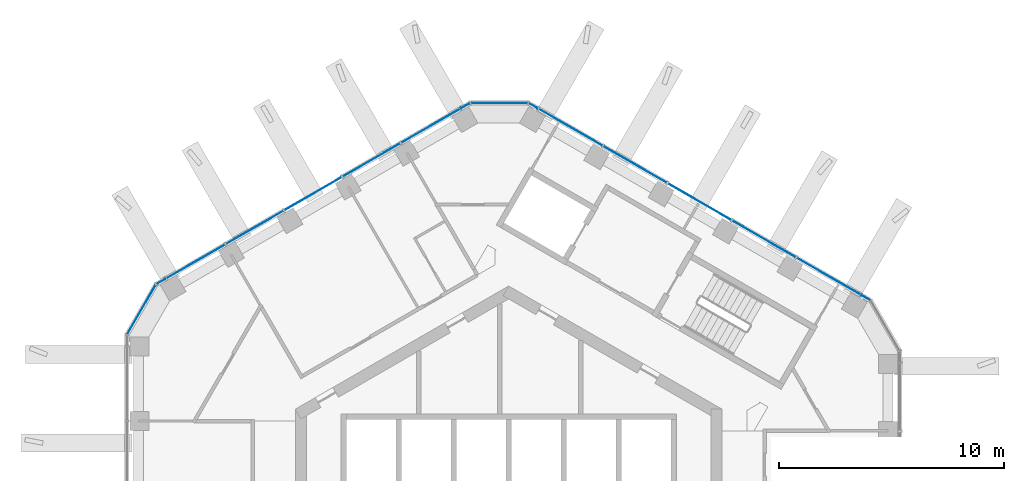
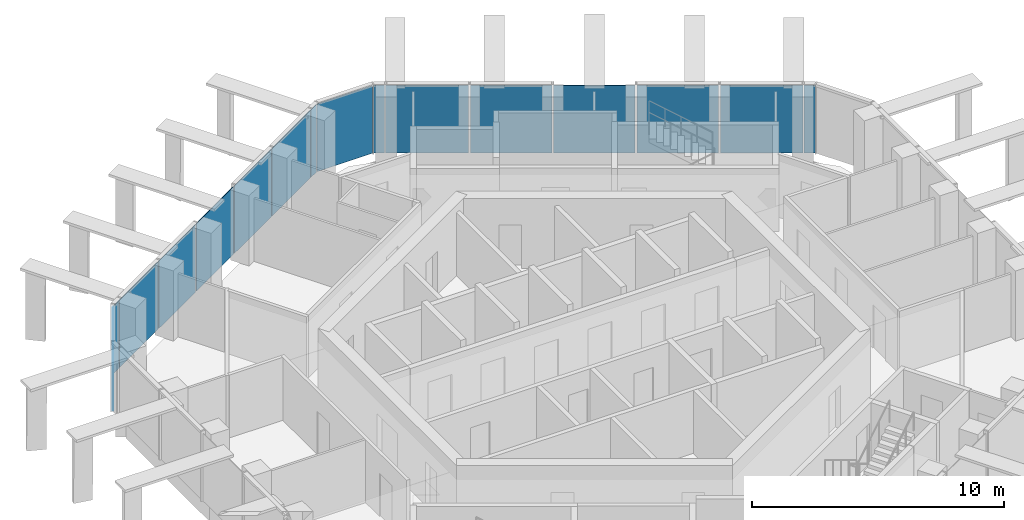
# One storey, part 10 of 18: 16 plates, 5 elements without a shape of their own.
"""IFC4 building model written with IfcOpenShell, lengths in metres."""

from ifc_helpers import new_model, si_unit, direction, frame, origin, origin_2d, place, context, subcontext, project, spatial, rectangle, extrude, material, layer, layer_set, type_object, element, aggregate, save


model = new_model("IFC4")

# Units and contexts
model_context = context("Model", 3, precision=1e-05, world=origin(), true_north=direction((0.0, 1.0)))
body_context = subcontext(model_context, "Body", "Model", "MODEL_VIEW")
ifc_project = project(units=[si_unit("LENGTHUNIT", "METRE"), si_unit("AREAUNIT", "SQUARE_METRE"), si_unit("VOLUMEUNIT", "CUBIC_METRE"), si_unit("PLANEANGLEUNIT", "RADIAN"), si_unit("MASSUNIT", "GRAM", prefix="KILO")], contexts=[model_context])

# Site, building, storey
site_placement = place(None, origin())
site = spatial("IfcSite", under=ifc_project, at=site_placement, CompositionType="ELEMENT")
building_placement = place(site_placement, origin())
building = spatial("IfcBuilding", under=site, at=building_placement, Name="Ayvan Gate Tower", CompositionType="ELEMENT")
storey_placement = place(building_placement, frame((0.0, 0.0, 242.699951171875)))
storey = spatial("IfcBuildingStorey", under=building, at=storey_placement, Name="L65", CompositionType="ELEMENT", Elevation=242.699951171875)

# Curtain wall, plates
ifc_material_1 = material(Name="Bronze anodised aluminium", Category="aluminium")
ifc_layer_1 = layer(ifc_material_1, 0.199951171875)
ifc_layer_set_1 = layer_set([ifc_layer_1], Name="Bronze anodised aluminium")
curtain_wall_type_1 = type_object("IfcCurtainWallType", Name="Stick curtain wall CW-2", PredefinedType="NOTDEFINED", material=ifc_layer_set_1)
curtain_wall_1_placement = place(storey_placement, origin())
curtain_wall_1 = element("IfcCurtainWall", 1, at=curtain_wall_1_placement, inside=storey, type_object=curtain_wall_type_1, Name="Stick curtain wall CW-2 L65", PredefinedType="NOTDEFINED")
ifc_material_2 = material(Name="Clear low-iron laminated glass", Category="glass")
ifc_layer_2 = layer(ifc_material_2, 0.028076171875)
ifc_layer_set_2 = layer_set([ifc_layer_2], Name="Clear low-iron laminated glass")
plate_type_1 = type_object("IfcPlateType", Name="Stick curtain wall CW-2 glass panel", PredefinedType="CURTAIN_PANEL", material=ifc_layer_set_2)
plate_1_placement = place(storey_placement, frame((-3.462646484375, 18.107177734375, 0.0), z_axis=(0.0, 0.0, 1.0), x_axis=(-0.866025403784, -0.5, 0.0)))
plate_1 = element("IfcPlate", 2, at=plate_1_placement, type_object=plate_type_1, Name="CW-2 glass panel 1", PredefinedType="CURTAIN_PANEL", context=body_context, shape_type="SweptSolid", body=[
    extrude(rectangle(XDim=3.034912109375, YDim=0.028076171875, at=origin_2d()), origin(), (0.0, 0.0, 1.0), 3.280029296875),
])
plate_2_placement = place(storey_placement, frame((-6.10693359375, 16.580322265625, 0.0), z_axis=(0.0, 0.0, 1.0), x_axis=(-0.866025403784, -0.5, 0.0)))
plate_2 = element("IfcPlate", 3, at=plate_2_placement, type_object=plate_type_1, Name="CW-2 glass panel 2", PredefinedType="CURTAIN_PANEL", context=body_context, shape_type="SweptSolid", body=[
    extrude(rectangle(XDim=2.931884765625, YDim=0.028076171875, at=origin_2d()), origin(), (0.0, 0.0, 1.0), 3.280029296875),
])
plate_3_placement = place(storey_placement, frame((-8.706298828125, 15.07958984375, 0.0), z_axis=(0.0, 0.0, 1.0), x_axis=(-0.866025403784, -0.5, 0.0)))
plate_3 = element("IfcPlate", 4, at=plate_3_placement, type_object=plate_type_1, Name="CW-2 glass panel 3", PredefinedType="CURTAIN_PANEL", context=body_context, shape_type="SweptSolid", body=[
    extrude(rectangle(XDim=2.930908203125, YDim=0.028076171875, at=origin_2d()), origin(), (0.0, 0.0, 1.0), 3.280029296875),
])
plate_4_placement = place(storey_placement, frame((-11.3056640625, 13.578857421875, 0.0), z_axis=(0.0, 0.0, 1.0), x_axis=(-0.866025403784, -0.5, 0.0)))
plate_4 = element("IfcPlate", 5, at=plate_4_placement, type_object=plate_type_1, Name="CW-2 glass panel 4", PredefinedType="CURTAIN_PANEL", context=body_context, shape_type="SweptSolid", body=[
    extrude(rectangle(XDim=2.931884765625, YDim=0.028076171875, at=origin_2d()), origin(), (0.0, 0.0, 1.0), 3.280029296875),
])
plate_5_placement = place(storey_placement, frame((-13.949951171875, 12.05224609375, 0.0), z_axis=(0.0, 0.0, 1.0), x_axis=(-0.866025403784, -0.5, 0.0)))
plate_5 = element("IfcPlate", 6, at=plate_5_placement, type_object=plate_type_1, Name="CW-2 glass panel 5", PredefinedType="CURTAIN_PANEL", context=body_context, shape_type="SweptSolid", body=[
    extrude(rectangle(XDim=3.03466796875, YDim=0.028076171875, at=origin_2d()), origin(), (0.0, 0.0, 1.0), 3.280029296875),
])
aggregate(curtain_wall_1, [plate_1, plate_2, plate_3, plate_4, plate_5])

curtain_wall_2_placement = place(storey_placement, origin())
curtain_wall_2 = element("IfcCurtainWall", 7, at=curtain_wall_2_placement, inside=storey, type_object=curtain_wall_type_1, Name="Stick curtain wall CW-2 L65", PredefinedType="NOTDEFINED")
plate_6_placement = place(storey_placement, frame((14.254150390625, 11.39697265625, 0.0), z_axis=(0.0, 0.0, 1.0), x_axis=(-0.866025403784, 0.5, 0.0)))
plate_6 = element("IfcPlate", 8, at=plate_6_placement, type_object=plate_type_1, Name="CW-2 glass panel 1", PredefinedType="CURTAIN_PANEL", context=body_context, shape_type="SweptSolid", body=[
    extrude(rectangle(XDim=3.2919921875, YDim=0.028076171875, at=origin_2d()), origin(), (0.0, 0.0, 1.0), 3.280029296875),
])
plate_7_placement = place(storey_placement, frame((11.364990234375, 13.06494140625, 0.0), z_axis=(0.0, 0.0, 1.0), x_axis=(-0.866025403784, 0.5, 0.0)))
plate_7 = element("IfcPlate", 9, at=plate_7_placement, type_object=plate_type_1, Name="CW-2 glass panel 2", PredefinedType="CURTAIN_PANEL", context=body_context, shape_type="SweptSolid", body=[
    extrude(rectangle(XDim=3.239990234375, YDim=0.028076171875, at=origin_2d()), origin(), (0.0, 0.0, 1.0), 3.280029296875),
])
plate_8_placement = place(storey_placement, frame((8.49853515625, 14.719970703125, 0.0), z_axis=(0.0, 0.0, 1.0), x_axis=(-0.866025403784, 0.5, 0.0)))
plate_8 = element("IfcPlate", 10, at=plate_8_placement, type_object=plate_type_1, Name="CW-2 glass panel 3", PredefinedType="CURTAIN_PANEL", context=body_context, shape_type="SweptSolid", body=[
    extrude(rectangle(XDim=3.239990234375, YDim=0.028076171875, at=origin_2d()), origin(), (0.0, 0.0, 1.0), 3.280029296875),
])
plate_9_placement = place(storey_placement, frame((5.6318359375, 16.375, 0.0), z_axis=(0.0, 0.0, 1.0), x_axis=(-0.866025403784, 0.5, 0.0)))
plate_9 = element("IfcPlate", 11, at=plate_9_placement, type_object=plate_type_1, Name="CW-2 glass panel 4", PredefinedType="CURTAIN_PANEL", context=body_context, shape_type="SweptSolid", body=[
    extrude(rectangle(XDim=3.239990234375, YDim=0.028076171875, at=origin_2d()), origin(), (0.0, 0.0, 1.0), 3.280029296875),
])
plate_10_placement = place(storey_placement, frame((2.742919921875, 18.04296875, 0.0), z_axis=(0.0, 0.0, 1.0), x_axis=(-0.866025403784, 0.5, 0.0)))
plate_10 = element("IfcPlate", 12, at=plate_10_placement, type_object=plate_type_1, Name="CW-2 glass panel 5", PredefinedType="CURTAIN_PANEL", context=body_context, shape_type="SweptSolid", body=[
    extrude(rectangle(XDim=3.291748046875, YDim=0.028076171875, at=origin_2d()), origin(), (0.0, 0.0, 1.0), 3.280029296875),
])
aggregate(curtain_wall_2, [plate_6, plate_7, plate_8, plate_9, plate_10])

ifc_layer_3 = layer(ifc_material_1, 0.199951171875)
ifc_layer_set_3 = layer_set([ifc_layer_3], Name="Bronze anodised aluminium")
curtain_wall_type_2 = type_object("IfcCurtainWallType", Name="Stick curtain wall CW-6", PredefinedType="NOTDEFINED", material=ifc_layer_set_3)
curtain_wall_3_placement = place(storey_placement, origin())
curtain_wall_3 = element("IfcCurtainWall", 13, at=curtain_wall_3_placement, inside=storey, type_object=curtain_wall_type_2, Name="Stick curtain wall CW-6 L65", PredefinedType="NOTDEFINED")
ifc_layer_4 = layer(ifc_material_2, 0.028076171875)
ifc_layer_set_4 = layer_set([ifc_layer_4], Name="Clear low-iron laminated glass")
plate_type_2 = type_object("IfcPlateType", Name="Stick curtain wall CW-6 glass panel", PredefinedType="CURTAIN_PANEL", material=ifc_layer_set_4)
plate_11_placement = place(storey_placement, frame((-15.4892578125, 11.16357421875, 0.0), z_axis=(0.0, 0.0, 1.0), x_axis=(-0.866025403784, -0.5, 0.0)))
plate_11 = element("IfcPlate", 14, at=plate_11_placement, type_object=plate_type_2, Name="CW-6 glass panel 1", PredefinedType="CURTAIN_PANEL", context=body_context, shape_type="SweptSolid", body=[
    extrude(rectangle(XDim=0.449951171875, YDim=0.028076171875, at=origin_2d()), origin(), (0.0, 0.0, 1.0), 3.280029296875),
])
plate_12_placement = place(storey_placement, frame((-16.351318359375, 9.920166015625, 0.0), z_axis=(0.0, 0.0, 1.0), x_axis=(-0.5, -0.866025403784, 0.0)))
plate_12 = element("IfcPlate", 15, at=plate_12_placement, type_object=plate_type_2, Name="CW-6 glass panel 2", PredefinedType="CURTAIN_PANEL", context=body_context, shape_type="SweptSolid", body=[
    extrude(rectangle(XDim=2.532470703125, YDim=0.028076171875, at=origin_2d()), origin(), (0.0, 0.0, 1.0), 3.280029296875),
])
aggregate(curtain_wall_3, [plate_11, plate_12])

# Curtain wall, plate
curtain_wall_4_placement = place(storey_placement, origin())
curtain_wall_4 = element("IfcCurtainWall", 16, at=curtain_wall_4_placement, inside=storey, type_object=curtain_wall_type_2, Name="Stick curtain wall CW-6 L65", PredefinedType="NOTDEFINED")
plate_13_placement = place(storey_placement, frame((15.90478515625, 10.44384765625, 0.0), z_axis=(0.0, 0.0, 1.0), x_axis=(-0.866025403784, 0.5, 0.0)))
plate_13 = element("IfcPlate", 17, at=plate_13_placement, type_object=plate_type_2, Name="CW-6 glass panel 3", PredefinedType="CURTAIN_PANEL", context=body_context, shape_type="SweptSolid", body=[
    extrude(rectangle(XDim=0.449951171875, YDim=0.028076171875, at=origin_2d()), origin(), (0.0, 0.0, 1.0), 3.280029296875),
])
aggregate(curtain_wall_4, [plate_13])

# Curtain wall, plates
curtain_wall_5_placement = place(storey_placement, origin())
curtain_wall_5 = element("IfcCurtainWall", 18, at=curtain_wall_5_placement, inside=storey, type_object=curtain_wall_type_2, Name="Stick curtain wall CW-6 L65", PredefinedType="NOTDEFINED")
plate_14_placement = place(storey_placement, frame((1.09228515625, 18.995849609375, 0.0), z_axis=(0.0, 0.0, 1.0), x_axis=(-0.866025403784, 0.5, 0.0)))
plate_14 = element("IfcPlate", 19, at=plate_14_placement, type_object=plate_type_2, Name="CW-6 glass panel 1", PredefinedType="CURTAIN_PANEL", context=body_context, shape_type="SweptSolid", body=[
    extrude(rectangle(XDim=0.449951171875, YDim=0.028076171875, at=origin_2d()), origin(), (0.0, 0.0, 1.0), 3.280029296875),
])
plate_15_placement = place(storey_placement, frame((-0.41552734375, 19.120849609375, 0.0), z_axis=(0.0, 0.0, 1.0), x_axis=(-1.0, 0.0, 0.0)))
plate_15 = element("IfcPlate", 20, at=plate_15_placement, type_object=plate_type_2, Name="CW-6 glass panel 2", PredefinedType="CURTAIN_PANEL", context=body_context, shape_type="SweptSolid", body=[
    extrude(rectangle(XDim=2.532470703125, YDim=0.028076171875, at=origin_2d()), origin(), (0.0, 0.0, 1.0), 3.280029296875),
])
plate_16_placement = place(storey_placement, frame((-1.923095703125, 18.995849609375, 0.0), z_axis=(0.0, 0.0, 1.0), x_axis=(-0.866025403784, -0.5, 0.0)))
plate_16 = element("IfcPlate", 21, at=plate_16_placement, type_object=plate_type_2, Name="CW-6 glass panel 3", PredefinedType="CURTAIN_PANEL", context=body_context, shape_type="SweptSolid", body=[
    extrude(rectangle(XDim=0.449951171875, YDim=0.028076171875, at=origin_2d()), origin(), (0.0, 0.0, 1.0), 3.280029296875),
])
aggregate(curtain_wall_5, [plate_14, plate_15, plate_16])

save(model, "model.ifc")
